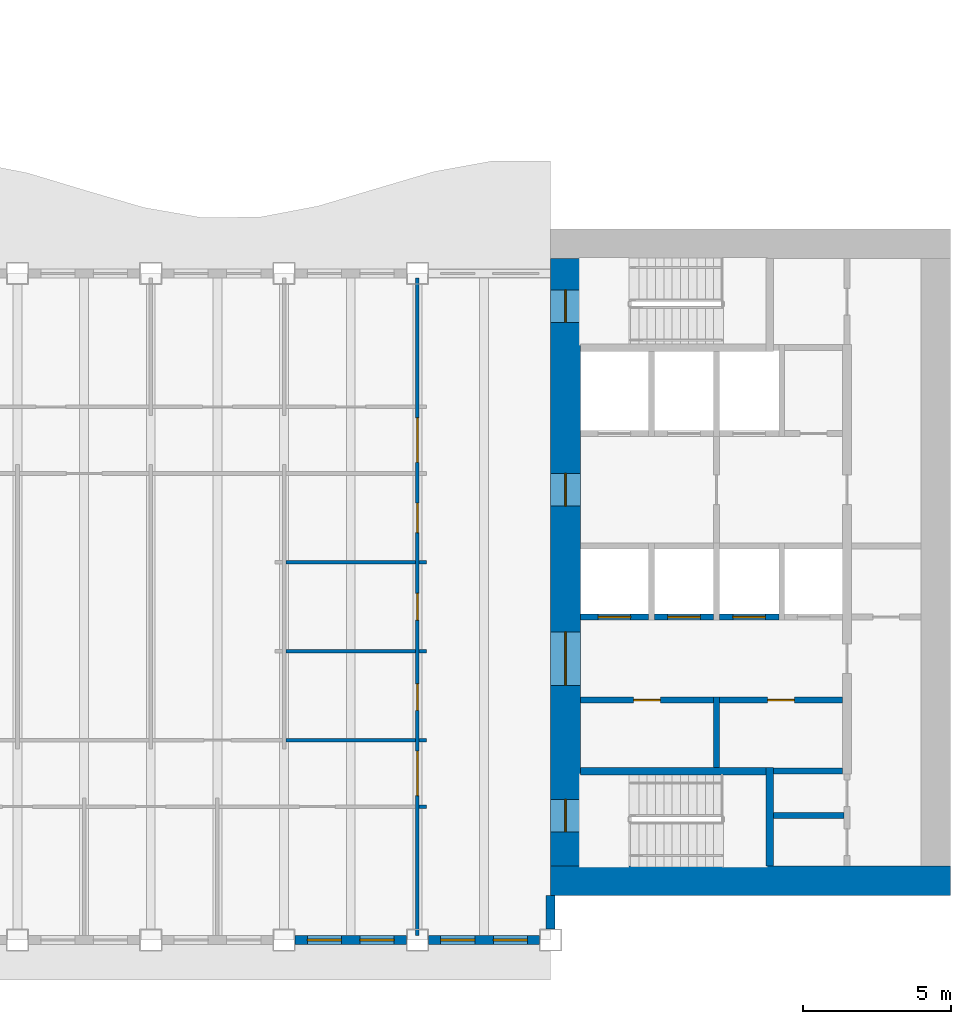
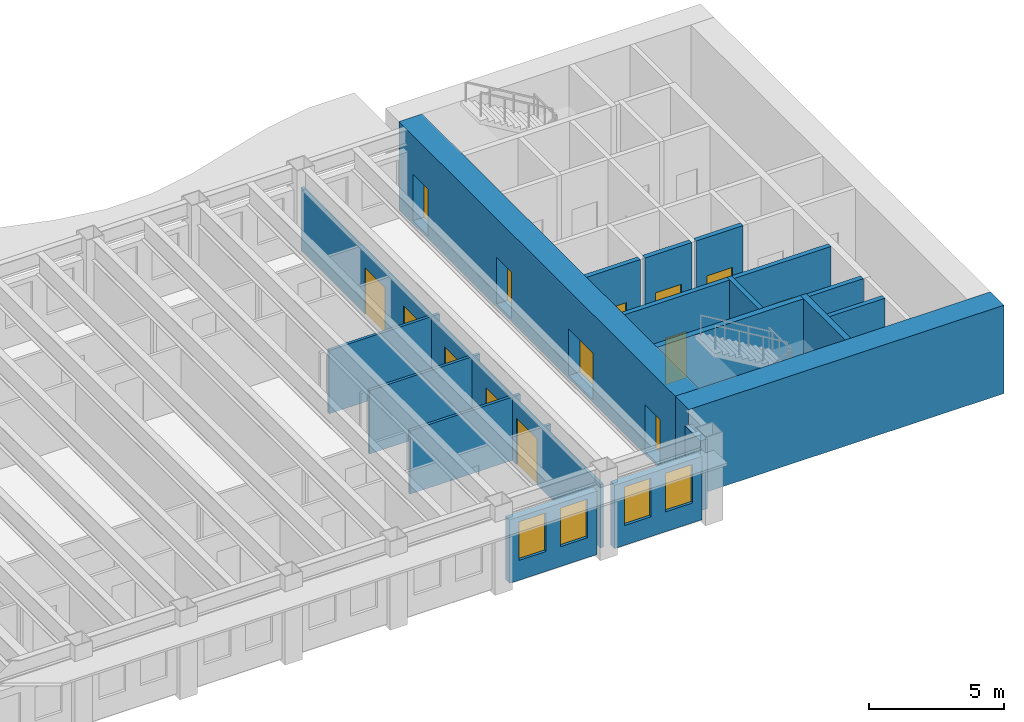
# One storey, part 6 of 17: 23 walls, 14 doors, 4 windows, 18 openings.
"""IFC4 building model written with IfcOpenShell, lengths in metres."""

from ifc_helpers import new_model, si_unit, direction, frame, frame_2d, origin, place, context, subcontext, project, spatial, rectangle, extrude, material, layer, layer_set, type_object, element, fill, save


model = new_model("IFC4")

# Units and contexts
model_context = context("Model", 3, precision=1e-05, world=origin(), true_north=direction((0.0, 1.0)))
body_context = subcontext(model_context, "Body", "Model", "MODEL_VIEW")
ifc_project = project(units=[si_unit("LENGTHUNIT", "METRE"), si_unit("AREAUNIT", "SQUARE_METRE"), si_unit("VOLUMEUNIT", "CUBIC_METRE"), si_unit("PLANEANGLEUNIT", "RADIAN"), si_unit("MASSUNIT", "GRAM", prefix="KILO")], contexts=[model_context])

# Site, building, storey
site_placement = place(None, origin())
site = spatial("IfcSite", under=ifc_project, at=site_placement, CompositionType="ELEMENT")
building_placement = place(site_placement, origin())
building = spatial("IfcBuilding", under=site, at=building_placement, Name="Sennacour Bend Tower", CompositionType="ELEMENT")
storey_placement = place(building_placement, frame((0.0, 0.0, 203.0)))
storey = spatial("IfcBuildingStorey", under=building, at=storey_placement, Name="L46", CompositionType="ELEMENT", Elevation=203.0)

# Wall
ifc_material_1 = material(Name="Concrete C60/75", Category="concrete")
ifc_layer_1 = layer(ifc_material_1, 1.0, Name="Concrete C60/75", Category="concrete")
ifc_layer_set_1 = layer_set([ifc_layer_1], Name="Concrete C60/75")
wall_type_1 = type_object("IfcWallType", Name="Core wall 1000 C60/75", PredefinedType="SHEAR", material=ifc_layer_set_1)
wall_1_placement = place(storey_placement, frame((67.5, 0.5, -0.14990234375), z_axis=(0.0, 0.0, 1.0), x_axis=(-1.0, 0.0, 0.0)))
element("IfcWall", 1, at=wall_1_placement, inside=storey, type_object=wall_type_1, Name="Core A wall L46 S", PredefinedType="SHEAR", context=body_context, shape_type="SweptSolid", body=[
    extrude(rectangle(XDim=13.5, YDim=1.0, at=frame_2d((6.75, 0.0))), origin(), (0.0, 0.0, 1.0), 4.0),
])

# Wall, openings, doors
wall_2_placement = place(storey_placement, frame((54.5, 1.0, -0.14990234375), z_axis=(0.0, 0.0, 1.0), x_axis=(0.0, 1.0, 0.0)))
wall_2 = element("IfcWall", 2, at=wall_2_placement, inside=storey, type_object=wall_type_1, Name="Core A wall L46 W", PredefinedType="SHEAR", context=body_context, shape_type="SweptSolid", body=[
    extrude(rectangle(XDim=20.5, YDim=1.0, at=frame_2d((10.25, 0.0))), origin(), (0.0, 0.0, 1.0), 4.0),
])
opening_1_placement = place(wall_2_placement, frame((6.10009765625, 0.0, 0.14990234375)))
opening_1 = element("IfcOpeningElement", 3, at=opening_1_placement, cuts=wall_2, Name="Opening CD", PredefinedType="OPENING", context=body_context, shape_type="SweptSolid", body=[
    extrude(rectangle(XDim=1.800048828125, YDim=2.10009765625, at=frame_2d((0.89990234375, 1.050048828125))), frame((0.0, 0.510009765625, 0.0), z_axis=(0.0, -1.0, 0.0), x_axis=(1.0, 0.0, 0.0)), (0.0, 0.0, 1.0), 1.02001953125),
])
opening_2_placement = place(wall_2_placement, frame((12.14990234375, 0.0, 0.14990234375)))
opening_2 = element("IfcOpeningElement", 4, at=opening_2_placement, cuts=wall_2, Name="Opening FD", PredefinedType="OPENING", context=body_context, shape_type="SweptSolid", body=[
    extrude(rectangle(XDim=1.10009765625, YDim=2.10009765625, at=frame_2d((0.550048828125, 1.050048828125))), frame((0.0, 0.510009765625, 0.0), z_axis=(0.0, -1.0, 0.0), x_axis=(1.0, 0.0, 0.0)), (0.0, 0.0, 1.0), 1.02001953125),
])
opening_3_placement = place(wall_2_placement, frame((1.14990234375, 0.0, 0.14990234375)))
opening_3 = element("IfcOpeningElement", 5, at=opening_3_placement, cuts=wall_2, Name="Opening SD", PredefinedType="OPENING", context=body_context, shape_type="SweptSolid", body=[
    extrude(rectangle(XDim=1.10009765625, YDim=2.10009765625, at=frame_2d((0.550048828125, 1.050048828125))), frame((0.0, 0.510009765625, 0.0), z_axis=(0.0, -1.0, 0.0), x_axis=(1.0, 0.0, 0.0)), (0.0, 0.0, 1.0), 1.02001953125),
])
opening_4_placement = place(wall_2_placement, frame((18.35009765625, 0.0, 0.14990234375)))
opening_4 = element("IfcOpeningElement", 6, at=opening_4_placement, cuts=wall_2, Name="Opening SD", PredefinedType="OPENING", context=body_context, shape_type="SweptSolid", body=[
    extrude(rectangle(XDim=1.10009765625, YDim=2.10009765625, at=frame_2d((0.550048828125, 1.050048828125))), frame((0.0, 0.510009765625, 0.0), z_axis=(0.0, -1.0, 0.0), x_axis=(1.0, 0.0, 0.0)), (0.0, 0.0, 1.0), 1.02001953125),
])
ifc_material_2 = material(Name="Painted steel", Category="steel")
door_type_1 = type_object("IfcDoorType", Name="DR-FFL-1100", OperationType="NOTDEFINED", PredefinedType="DOOR", material=ifc_material_2)
door_1_placement = place(opening_2_placement, origin())
door_1 = element("IfcDoor", 7, at=door_1_placement, inside=storey, type_object=door_type_1, Name="Door", OperationType="SINGLE_SWING_RIGHT", OverallHeight=2.10009765625, OverallWidth=1.10009765625, PredefinedType="DOOR", context=body_context, shape_type="SweptSolid", body=[
    extrude(rectangle(XDim=1.10009765625, YDim=2.10009765625, at=frame_2d((0.550048828125, 1.050048828125))), frame((0.0, 0.02490234375, 0.0), z_axis=(0.0, -1.0, 0.0), x_axis=(1.0, 0.0, 0.0)), (0.0, 0.0, 1.0), 0.050048828125),
])
fill(opening_2, door_1)
door_type_2 = type_object("IfcDoorType", Name="DR-LOBBY-1800", OperationType="NOTDEFINED", PredefinedType="DOOR", material=ifc_material_2)
door_2_placement = place(opening_1_placement, origin())
door_2 = element("IfcDoor", 8, at=door_2_placement, inside=storey, type_object=door_type_2, Name="Door", OperationType="DOUBLE_DOOR_SINGLE_SWING", OverallHeight=2.10009765625, OverallWidth=1.800048828125, PredefinedType="DOOR", context=body_context, shape_type="SweptSolid", body=[
    extrude(rectangle(XDim=1.800048828125, YDim=2.10009765625, at=frame_2d((0.89990234375, 1.050048828125))), frame((0.0, 0.02490234375, 0.0), z_axis=(0.0, -1.0, 0.0), x_axis=(1.0, 0.0, 0.0)), (0.0, 0.0, 1.0), 0.050048828125),
])
fill(opening_1, door_2)
door_type_3 = type_object("IfcDoorType", Name="DR-STAIR-1100", OperationType="NOTDEFINED", PredefinedType="DOOR", material=ifc_material_2)
door_3_placement = place(opening_3_placement, origin())
door_3 = element("IfcDoor", 9, at=door_3_placement, inside=storey, type_object=door_type_3, Name="Door", OperationType="SINGLE_SWING_LEFT", OverallHeight=2.10009765625, OverallWidth=1.10009765625, PredefinedType="DOOR", context=body_context, shape_type="SweptSolid", body=[
    extrude(rectangle(XDim=1.10009765625, YDim=2.10009765625, at=frame_2d((0.550048828125, 1.050048828125))), frame((0.0, 0.02490234375, 0.0), z_axis=(0.0, -1.0, 0.0), x_axis=(1.0, 0.0, 0.0)), (0.0, 0.0, 1.0), 0.050048828125),
])
fill(opening_3, door_3)
door_4_placement = place(opening_4_placement, origin())
door_4 = element("IfcDoor", 10, at=door_4_placement, inside=storey, type_object=door_type_3, Name="Door", OperationType="SINGLE_SWING_RIGHT", OverallHeight=2.10009765625, OverallWidth=1.10009765625, PredefinedType="DOOR", context=body_context, shape_type="SweptSolid", body=[
    extrude(rectangle(XDim=1.10009765625, YDim=2.10009765625, at=frame_2d((0.550048828125, 1.050048828125))), frame((0.0, 0.02490234375, 0.0), z_axis=(0.0, -1.0, 0.0), x_axis=(1.0, 0.0, 0.0)), (0.0, 0.0, 1.0), 0.050048828125),
])
fill(opening_4, door_4)

# Walls
ifc_material_3 = material(Name="Plasterboard partition on steel studs", Category="steel")
ifc_layer_2 = layer(ifc_material_3, 0.1201171875, Name="Plasterboard partition on steel studs", Category="steel")
ifc_layer_set_2 = layer_set([ifc_layer_2], Name="Plasterboard partition on steel studs")
wall_type_2 = type_object("IfcWallType", Name="Partition 120", PredefinedType="PARTITIONING", material=ifc_layer_set_2)
wall_3_placement = place(storey_placement, frame((49.56005859375, 3.0, 0.0), z_axis=(0.0, 0.0, 1.0), x_axis=(1.0, 0.0, 0.0)))
element("IfcWall", 11, at=wall_3_placement, inside=storey, type_object=wall_type_2, Name="P-L46-W058ah", PredefinedType="PARTITIONING", context=body_context, shape_type="SweptSolid", body=[
    extrude(rectangle(XDim=0.239990234375, YDim=0.1201171875, at=frame_2d((0.1201171875, 0.0))), origin(), (0.0, 0.0, 1.0), 2.8701171875),
])
wall_4_placement = place(storey_placement, frame((45.06005859375, 5.25, 0.0), z_axis=(0.0, 0.0, 1.0), x_axis=(1.0, 0.0, 0.0)))
element("IfcWall", 12, at=wall_4_placement, inside=storey, type_object=wall_type_2, Name="P-L46-W063ae", PredefinedType="PARTITIONING", context=body_context, shape_type="SweptSolid", body=[
    extrude(rectangle(XDim=4.3798828125, YDim=0.1201171875, at=frame_2d((2.18994140625, 0.0))), origin(), (0.0, 0.0, 1.0), 2.8701171875),
])
wall_5_placement = place(storey_placement, frame((49.56005859375, 5.25, 0.0), z_axis=(0.0, 0.0, 1.0), x_axis=(1.0, 0.0, 0.0)))
element("IfcWall", 13, at=wall_5_placement, inside=storey, type_object=wall_type_2, Name="P-L46-W063af", PredefinedType="PARTITIONING", context=body_context, shape_type="SweptSolid", body=[
    extrude(rectangle(XDim=0.239990234375, YDim=0.1201171875, at=frame_2d((0.1201171875, 0.0))), origin(), (0.0, 0.0, 1.0), 2.8701171875),
])
wall_6_placement = place(storey_placement, frame((45.06005859375, 8.25, 0.0), z_axis=(0.0, 0.0, 1.0), x_axis=(1.0, 0.0, 0.0)))
element("IfcWall", 14, at=wall_6_placement, inside=storey, type_object=wall_type_2, Name="P-L46-W065ab", PredefinedType="PARTITIONING", context=body_context, shape_type="SweptSolid", body=[
    extrude(rectangle(XDim=4.3798828125, YDim=0.1201171875, at=frame_2d((2.18994140625, 0.0))), origin(), (0.0, 0.0, 1.0), 2.8701171875),
])
wall_7_placement = place(storey_placement, frame((49.56005859375, 8.25, 0.0), z_axis=(0.0, 0.0, 1.0), x_axis=(1.0, 0.0, 0.0)))
element("IfcWall", 15, at=wall_7_placement, inside=storey, type_object=wall_type_2, Name="P-L46-W065ac", PredefinedType="PARTITIONING", context=body_context, shape_type="SweptSolid", body=[
    extrude(rectangle(XDim=0.239990234375, YDim=0.1201171875, at=frame_2d((0.1201171875, 0.0))), origin(), (0.0, 0.0, 1.0), 2.8701171875),
])
wall_8_placement = place(storey_placement, frame((45.06005859375, 11.25, 0.0), z_axis=(0.0, 0.0, 1.0), x_axis=(1.0, 0.0, 0.0)))
element("IfcWall", 16, at=wall_8_placement, inside=storey, type_object=wall_type_2, Name="P-L46-W070ab", PredefinedType="PARTITIONING", context=body_context, shape_type="SweptSolid", body=[
    extrude(rectangle(XDim=4.3798828125, YDim=0.1201171875, at=frame_2d((2.18994140625, 0.0))), origin(), (0.0, 0.0, 1.0), 2.8701171875),
])
wall_9_placement = place(storey_placement, frame((49.56005859375, 11.25, 0.0), z_axis=(0.0, 0.0, 1.0), x_axis=(1.0, 0.0, 0.0)))
element("IfcWall", 17, at=wall_9_placement, inside=storey, type_object=wall_type_2, Name="P-L46-W070ac", PredefinedType="PARTITIONING", context=body_context, shape_type="SweptSolid", body=[
    extrude(rectangle(XDim=0.239990234375, YDim=0.1201171875, at=frame_2d((0.1201171875, 0.0))), origin(), (0.0, 0.0, 1.0), 2.8701171875),
])

# Wall, openings, doors
ifc_layer_3 = layer(ifc_material_3, 0.1201171875, Name="Plasterboard partition on steel studs", Category="steel")
ifc_layer_set_3 = layer_set([ifc_layer_3], Name="Plasterboard partition on steel studs")
wall_type_3 = type_object("IfcWallType", Name="Partition 120 EI 30", PredefinedType="PARTITIONING", material=ifc_layer_set_3)
wall_10_placement = place(storey_placement, frame((49.5, -1.35009765625, 0.0), z_axis=(0.0, 0.0, 1.0), x_axis=(0.0, 1.0, 0.0)))
wall_10 = element("IfcWall", 18, at=wall_10_placement, inside=storey, type_object=wall_type_3, Name="P-L46-W040a", PredefinedType="PARTITIONING", context=body_context, shape_type="SweptSolid", body=[
    extrude(rectangle(XDim=22.2001953125, YDim=0.1201171875, at=frame_2d((11.10009765625, 0.0))), origin(), (0.0, 0.0, 1.0), 2.8701171875),
])
opening_5_placement = place(wall_10_placement, frame((4.72509765625, 0.0, 0.0)))
opening_5 = element("IfcOpeningElement", 19, at=opening_5_placement, cuts=wall_10, Name="Opening KD", PredefinedType="OPENING", context=body_context, shape_type="SweptSolid", body=[
    extrude(rectangle(XDim=1.5, YDim=2.10009765625, at=frame_2d((0.75, 1.050048828125))), frame((0.0, 0.070068359375, 0.0), z_axis=(0.0, -1.0, 0.0), x_axis=(1.0, 0.0, 0.0)), (0.0, 0.0, 1.0), 0.14013671875),
])
opening_6_placement = place(wall_10_placement, frame((15.97509765625, 0.0, 0.0)))
opening_6 = element("IfcOpeningElement", 20, at=opening_6_placement, cuts=wall_10, Name="Opening KD", PredefinedType="OPENING", context=body_context, shape_type="SweptSolid", body=[
    extrude(rectangle(XDim=1.5, YDim=2.10009765625, at=frame_2d((0.75, 1.050048828125))), frame((0.0, 0.070068359375, 0.0), z_axis=(0.0, -1.0, 0.0), x_axis=(1.0, 0.0, 0.0)), (0.0, 0.0, 1.0), 0.14013671875),
])
opening_7_placement = place(wall_10_placement, frame((7.60009765625, 0.0, 0.0)))
opening_7 = element("IfcOpeningElement", 21, at=opening_7_placement, cuts=wall_10, Name="Opening WD", PredefinedType="OPENING", context=body_context, shape_type="SweptSolid", body=[
    extrude(rectangle(XDim=0.89990234375, YDim=2.10009765625, at=frame_2d((0.449951171875, 1.050048828125))), frame((0.0, 0.070068359375, 0.0), z_axis=(0.0, -1.0, 0.0), x_axis=(1.0, 0.0, 0.0)), (0.0, 0.0, 1.0), 0.14013671875),
])
opening_8_placement = place(wall_10_placement, frame((10.650146484375, 0.0, 0.0)))
opening_8 = element("IfcOpeningElement", 22, at=opening_8_placement, cuts=wall_10, Name="Opening WD", PredefinedType="OPENING", context=body_context, shape_type="SweptSolid", body=[
    extrude(rectangle(XDim=0.89990234375, YDim=2.10009765625, at=frame_2d((0.449951171875, 1.050048828125))), frame((0.0, 0.070068359375, 0.0), z_axis=(0.0, -1.0, 0.0), x_axis=(1.0, 0.0, 0.0)), (0.0, 0.0, 1.0), 0.14013671875),
])
opening_9_placement = place(wall_10_placement, frame((13.60009765625, 0.0, 0.0)))
opening_9 = element("IfcOpeningElement", 23, at=opening_9_placement, cuts=wall_10, Name="Opening AD", PredefinedType="OPENING", context=body_context, shape_type="SweptSolid", body=[
    extrude(rectangle(XDim=1.0, YDim=2.10009765625, at=frame_2d((0.5, 1.050048828125))), frame((0.0, 0.070068359375, 0.0), z_axis=(0.0, -1.0, 0.0), x_axis=(1.0, 0.0, 0.0)), (0.0, 0.0, 1.0), 0.14013671875),
])
ifc_material_4 = material(Name="Timber", Category="wood")
door_type_4 = type_object("IfcDoorType", Name="DR-ACC-WC-1000", OperationType="NOTDEFINED", PredefinedType="DOOR", material=ifc_material_4)
door_5_placement = place(opening_9_placement, origin())
door_5 = element("IfcDoor", 24, at=door_5_placement, inside=storey, type_object=door_type_4, Name="Door", OperationType="SINGLE_SWING_RIGHT", OverallHeight=2.10009765625, OverallWidth=1.0, PredefinedType="DOOR", context=body_context, shape_type="SweptSolid", body=[
    extrude(rectangle(XDim=1.0, YDim=2.10009765625, at=frame_2d((0.5, 1.050048828125))), frame((0.0, 0.02490234375, 0.0), z_axis=(0.0, -1.0, 0.0), x_axis=(1.0, 0.0, 0.0)), (0.0, 0.0, 1.0), 0.050048828125),
])
fill(opening_9, door_5)
door_type_5 = type_object("IfcDoorType", Name="DR-CORRIDOR-1500", OperationType="NOTDEFINED", PredefinedType="DOOR", material=ifc_material_2)
door_6_placement = place(opening_5_placement, origin())
door_6 = element("IfcDoor", 25, at=door_6_placement, inside=storey, type_object=door_type_5, Name="Door", OperationType="SINGLE_SWING_LEFT", OverallHeight=2.10009765625, OverallWidth=1.5, PredefinedType="DOOR", context=body_context, shape_type="SweptSolid", body=[
    extrude(rectangle(XDim=1.5, YDim=2.10009765625, at=frame_2d((0.75, 1.050048828125))), frame((0.0, 0.02490234375, 0.0), z_axis=(0.0, -1.0, 0.0), x_axis=(1.0, 0.0, 0.0)), (0.0, 0.0, 1.0), 0.050048828125),
])
fill(opening_5, door_6)
door_7_placement = place(opening_6_placement, origin())
door_7 = element("IfcDoor", 26, at=door_7_placement, inside=storey, type_object=door_type_5, Name="Door", OperationType="SINGLE_SWING_RIGHT", OverallHeight=2.10009765625, OverallWidth=1.5, PredefinedType="DOOR", context=body_context, shape_type="SweptSolid", body=[
    extrude(rectangle(XDim=1.5, YDim=2.10009765625, at=frame_2d((0.75, 1.050048828125))), frame((0.0, 0.02490234375, 0.0), z_axis=(0.0, -1.0, 0.0), x_axis=(1.0, 0.0, 0.0)), (0.0, 0.0, 1.0), 0.050048828125),
])
fill(opening_6, door_7)
door_type_6 = type_object("IfcDoorType", Name="DR-WC-900", OperationType="NOTDEFINED", PredefinedType="DOOR", material=ifc_material_4)
door_8_placement = place(opening_7_placement, origin())
door_8 = element("IfcDoor", 27, at=door_8_placement, inside=storey, type_object=door_type_6, Name="Door", OperationType="SINGLE_SWING_LEFT", OverallHeight=2.10009765625, OverallWidth=0.89990234375, PredefinedType="DOOR", context=body_context, shape_type="SweptSolid", body=[
    extrude(rectangle(XDim=0.89990234375, YDim=2.10009765625, at=frame_2d((0.449951171875, 1.050048828125))), frame((0.0, 0.02490234375, 0.0), z_axis=(0.0, -1.0, 0.0), x_axis=(1.0, 0.0, 0.0)), (0.0, 0.0, 1.0), 0.050048828125),
])
fill(opening_7, door_8)
door_9_placement = place(opening_8_placement, origin())
door_9 = element("IfcDoor", 28, at=door_9_placement, inside=storey, type_object=door_type_6, Name="Door", OperationType="SINGLE_SWING_LEFT", OverallHeight=2.10009765625, OverallWidth=0.89990234375, PredefinedType="DOOR", context=body_context, shape_type="SweptSolid", body=[
    extrude(rectangle(XDim=0.89990234375, YDim=2.10009765625, at=frame_2d((0.449951171875, 1.050048828125))), frame((0.0, 0.02490234375, 0.0), z_axis=(0.0, -1.0, 0.0), x_axis=(1.0, 0.0, 0.0)), (0.0, 0.0, 1.0), 0.050048828125),
])
fill(opening_8, door_9)

# Walls
ifc_material_5 = material(Name="Fire-rated plasterboard partition on steel studs", Category="steel")
ifc_layer_4 = layer(ifc_material_5, 0.199951171875, Name="Fire-rated plasterboard partition on steel studs", Category="steel")
ifc_layer_set_4 = layer_set([ifc_layer_4], Name="Fire-rated plasterboard partition on steel studs")
wall_type_4 = type_object("IfcWallType", Name="Rated partition 200", PredefinedType="PARTITIONING", material=ifc_layer_set_4)
for number, where, z_axis, x_axis, name in (
    (29, (59.60009765625, 4.324951171875, 0.0), (0.0, 0.0, 1.0), (0.0, 1.0, 0.0), "P-L46-W044"),
    (30, (61.52490234375, 2.699951171875, 0.0), (0.0, 0.0, 1.0), (1.0, 0.0, 0.0), "P-L46-W057"),
):
    element("IfcWall", number, at=place(storey_placement, frame(where, z_axis=z_axis, x_axis=x_axis)), inside=storey, type_object=wall_type_4, Name=name, PredefinedType="PARTITIONING", context=body_context, shape_type="SweptSolid", body=[
        extrude(rectangle(XDim=2.375, YDim=0.199951171875, at=frame_2d((1.1875, 0.0))), origin(), (0.0, 0.0, 1.0), 3.85009765625),
    ])
wall_11_placement = place(storey_placement, frame((61.52490234375, 4.199951171875, 0.0), z_axis=(0.0, 0.0, 1.0), x_axis=(1.0, 0.0, 0.0)))
element("IfcWall", 31, at=wall_11_placement, inside=storey, type_object=wall_type_4, Name="P-L46-W062", PredefinedType="PARTITIONING", context=body_context, shape_type="SweptSolid", body=[
    extrude(rectangle(XDim=2.3251953125, YDim=0.199951171875, at=frame_2d((1.16259765625, 0.0))), origin(), (0.0, 0.0, 1.0), 3.85009765625),
])

# Wall, opening, door
wall_12_placement = place(storey_placement, frame((55.0, 6.60009765625, 0.0), z_axis=(0.0, 0.0, 1.0), x_axis=(1.0, 0.0, 0.0)))
wall_12 = element("IfcWall", 32, at=wall_12_placement, inside=storey, type_object=wall_type_4, Name="P-L46-W064a", PredefinedType="PARTITIONING", context=body_context, shape_type="SweptSolid", body=[
    extrude(rectangle(XDim=4.5, YDim=0.199951171875, at=frame_2d((2.25, 0.0))), origin(), (0.0, 0.0, 1.0), 3.85009765625),
])
opening_10_placement = place(wall_12_placement, frame((1.800048828125, 0.0, 0.0)))
opening_10 = element("IfcOpeningElement", 33, at=opening_10_placement, cuts=wall_12, Name="Opening SV", PredefinedType="OPENING", context=body_context, shape_type="SweptSolid", body=[
    extrude(rectangle(XDim=0.89990234375, YDim=2.10009765625, at=frame_2d((0.449951171875, 1.050048828125))), frame((0.0, 0.10986328125, 0.0), z_axis=(0.0, -1.0, 0.0), x_axis=(1.0, 0.0, 0.0)), (0.0, 0.0, 1.0), 0.219970703125),
])
door_type_7 = type_object("IfcDoorType", Name="DR-SERVICE-900", OperationType="NOTDEFINED", PredefinedType="DOOR", material=ifc_material_2)
door_10_placement = place(opening_10_placement, origin())
door_10 = element("IfcDoor", 34, at=door_10_placement, inside=storey, type_object=door_type_7, Name="Door", OperationType="SINGLE_SWING_LEFT", OverallHeight=2.10009765625, OverallWidth=0.89990234375, PredefinedType="DOOR", context=body_context, shape_type="SweptSolid", body=[
    extrude(rectangle(XDim=0.89990234375, YDim=2.10009765625, at=frame_2d((0.449951171875, 1.050048828125))), frame((0.0, 0.02490234375, 0.0), z_axis=(0.0, -1.0, 0.0), x_axis=(1.0, 0.0, 0.0)), (0.0, 0.0, 1.0), 0.050048828125),
])
fill(opening_10, door_10)

wall_13_placement = place(storey_placement, frame((59.699951171875, 6.60009765625, 0.0), z_axis=(0.0, 0.0, 1.0), x_axis=(1.0, 0.0, 0.0)))
wall_13 = element("IfcWall", 35, at=wall_13_placement, inside=storey, type_object=wall_type_4, Name="P-L46-W064b", PredefinedType="PARTITIONING", context=body_context, shape_type="SweptSolid", body=[
    extrude(rectangle(XDim=4.150146484375, YDim=0.199951171875, at=frame_2d((2.0751953125, 0.0))), origin(), (0.0, 0.0, 1.0), 3.85009765625),
])
opening_11_placement = place(wall_13_placement, frame((1.625, 0.0, 0.0)))
opening_11 = element("IfcOpeningElement", 36, at=opening_11_placement, cuts=wall_13, Name="Opening SV", PredefinedType="OPENING", context=body_context, shape_type="SweptSolid", body=[
    extrude(rectangle(XDim=0.89990234375, YDim=2.10009765625, at=frame_2d((0.449951171875, 1.050048828125))), frame((0.0, 0.10986328125, 0.0), z_axis=(0.0, -1.0, 0.0), x_axis=(1.0, 0.0, 0.0)), (0.0, 0.0, 1.0), 0.219970703125),
])
door_11_placement = place(opening_11_placement, origin())
door_11 = element("IfcDoor", 37, at=door_11_placement, inside=storey, type_object=door_type_7, Name="Door", OperationType="SINGLE_SWING_LEFT", OverallHeight=2.10009765625, OverallWidth=0.89990234375, PredefinedType="DOOR", context=body_context, shape_type="SweptSolid", body=[
    extrude(rectangle(XDim=0.89990234375, YDim=2.10009765625, at=frame_2d((0.449951171875, 1.050048828125))), frame((0.0, 0.02490234375, 0.0), z_axis=(0.0, -1.0, 0.0), x_axis=(1.0, 0.0, 0.0)), (0.0, 0.0, 1.0), 0.050048828125),
])
fill(opening_11, door_11)

# Wall, openings, windows
ifc_material_6 = material(Name="Warm limestone cladding", Category="masonry")
ifc_layer_5 = layer(ifc_material_6, 0.050048828125, Name="Warm limestone cladding", Category="masonry")
ifc_material_7 = material(Name="Precast concrete C40/50", Category="concrete")
ifc_layer_6 = layer(ifc_material_7, 0.25, Name="Precast concrete C40/50", Category="concrete")
ifc_layer_set_5 = layer_set([ifc_layer_5, ifc_layer_6], Name="Precast concrete C40/50 with limestone cladding")
wall_type_5 = type_object("IfcWallType", Name="STONE-CLAD PRECAST SPANDREL 300", PredefinedType="STANDARD", material=ifc_layer_set_5)
wall_14_placement = place(storey_placement, frame((45.375, -1.5, 0.0), z_axis=(0.0, 0.0, 1.0), x_axis=(1.0, 0.0, 0.0)))
wall_14 = element("IfcWall", 38, at=wall_14_placement, inside=storey, type_object=wall_type_5, Name="Stone spandrel and pier wall L46 00.05", PredefinedType="STANDARD", context=body_context, shape_type="SweptSolid", body=[
    extrude(rectangle(XDim=3.75, YDim=0.300048828125, at=frame_2d((1.875, 0.0))), origin(), (0.0, 0.0, 1.0), 2.8701171875),
])
opening_12_placement = place(wall_14_placement, frame((0.41259765625, 0.0, 0.89990234375)))
opening_12 = element("IfcOpeningElement", 39, at=opening_12_placement, cuts=wall_14, Name="Opening W23", PredefinedType="OPENING", context=body_context, shape_type="SweptSolid", body=[
    extrude(rectangle(XDim=1.14990234375, YDim=1.75, at=frame_2d((0.574951171875, 0.875))), frame((0.0, 0.16015625, 0.0), z_axis=(0.0, -1.0, 0.0), x_axis=(1.0, 0.0, 0.0)), (0.0, 0.0, 1.0), 0.320068359375),
])
opening_13_placement = place(wall_14_placement, frame((2.1875, 0.0, 0.89990234375)))
opening_13 = element("IfcOpeningElement", 40, at=opening_13_placement, cuts=wall_14, Name="Opening W23", PredefinedType="OPENING", context=body_context, shape_type="SweptSolid", body=[
    extrude(rectangle(XDim=1.14990234375, YDim=1.75, at=frame_2d((0.574951171875, 0.875))), frame((0.0, 0.16015625, 0.0), z_axis=(0.0, -1.0, 0.0), x_axis=(1.0, 0.0, 0.0)), (0.0, 0.0, 1.0), 0.320068359375),
])
ifc_material_8 = material(Name="Clear low-emissivity glass", Category="glass")
window_type = type_object("IfcWindowType", Name="WIN-RIBBON-1150x1750", PartitioningType="SINGLE_PANEL", PredefinedType="WINDOW", material=ifc_material_8)
window_1_placement = place(opening_12_placement, origin())
window_1 = element("IfcWindow", 41, at=window_1_placement, inside=storey, type_object=window_type, Name="Ribbon window L46 00.05.0", OverallHeight=1.75, OverallWidth=1.14990234375, PartitioningType="SINGLE_PANEL", PredefinedType="WINDOW", context=body_context, shape_type="SweptSolid", body=[
    extrude(rectangle(XDim=1.14990234375, YDim=1.75, at=frame_2d((0.574951171875, 0.875))), frame((0.0, 0.030029296875, 0.0), z_axis=(0.0, -1.0, 0.0), x_axis=(1.0, 0.0, 0.0)), (0.0, 0.0, 1.0), 0.06005859375),
])
fill(opening_12, window_1)
window_2_placement = place(opening_13_placement, origin())
window_2 = element("IfcWindow", 42, at=window_2_placement, inside=storey, type_object=window_type, Name="Ribbon window L46 00.05.1", OverallHeight=1.75, OverallWidth=1.14990234375, PartitioningType="SINGLE_PANEL", PredefinedType="WINDOW", context=body_context, shape_type="SweptSolid", body=[
    extrude(rectangle(XDim=1.14990234375, YDim=1.75, at=frame_2d((0.574951171875, 0.875))), frame((0.0, 0.030029296875, 0.0), z_axis=(0.0, -1.0, 0.0), x_axis=(1.0, 0.0, 0.0)), (0.0, 0.0, 1.0), 0.06005859375),
])
fill(opening_13, window_2)

wall_15_placement = place(storey_placement, frame((49.875, -1.5, 0.0), z_axis=(0.0, 0.0, 1.0), x_axis=(1.0, 0.0, 0.0)))
wall_15 = element("IfcWall", 43, at=wall_15_placement, inside=storey, type_object=wall_type_5, Name="Stone spandrel and pier wall L46 00.06", PredefinedType="STANDARD", context=body_context, shape_type="SweptSolid", body=[
    extrude(rectangle(XDim=3.75, YDim=0.300048828125, at=frame_2d((1.875, 0.0))), origin(), (0.0, 0.0, 1.0), 2.8701171875),
])
opening_14_placement = place(wall_15_placement, frame((0.41259765625, 0.0, 0.89990234375)))
opening_14 = element("IfcOpeningElement", 44, at=opening_14_placement, cuts=wall_15, Name="Opening W23", PredefinedType="OPENING", context=body_context, shape_type="SweptSolid", body=[
    extrude(rectangle(XDim=1.14990234375, YDim=1.75, at=frame_2d((0.574951171875, 0.875))), frame((0.0, 0.16015625, 0.0), z_axis=(0.0, -1.0, 0.0), x_axis=(1.0, 0.0, 0.0)), (0.0, 0.0, 1.0), 0.320068359375),
])
opening_15_placement = place(wall_15_placement, frame((2.1875, 0.0, 0.89990234375)))
opening_15 = element("IfcOpeningElement", 45, at=opening_15_placement, cuts=wall_15, Name="Opening W23", PredefinedType="OPENING", context=body_context, shape_type="SweptSolid", body=[
    extrude(rectangle(XDim=1.14990234375, YDim=1.75, at=frame_2d((0.574951171875, 0.875))), frame((0.0, 0.16015625, 0.0), z_axis=(0.0, -1.0, 0.0), x_axis=(1.0, 0.0, 0.0)), (0.0, 0.0, 1.0), 0.320068359375),
])
window_3_placement = place(opening_14_placement, origin())
window_3 = element("IfcWindow", 46, at=window_3_placement, inside=storey, type_object=window_type, Name="Ribbon window L46 00.06.0", OverallHeight=1.75, OverallWidth=1.14990234375, PartitioningType="SINGLE_PANEL", PredefinedType="WINDOW", context=body_context, shape_type="SweptSolid", body=[
    extrude(rectangle(XDim=1.14990234375, YDim=1.75, at=frame_2d((0.574951171875, 0.875))), frame((0.0, 0.030029296875, 0.0), z_axis=(0.0, -1.0, 0.0), x_axis=(1.0, 0.0, 0.0)), (0.0, 0.0, 1.0), 0.06005859375),
])
fill(opening_14, window_3)
window_4_placement = place(opening_15_placement, origin())
window_4 = element("IfcWindow", 47, at=window_4_placement, inside=storey, type_object=window_type, Name="Ribbon window L46 00.06.1", OverallHeight=1.75, OverallWidth=1.14990234375, PartitioningType="SINGLE_PANEL", PredefinedType="WINDOW", context=body_context, shape_type="SweptSolid", body=[
    extrude(rectangle(XDim=1.14990234375, YDim=1.75, at=frame_2d((0.574951171875, 0.875))), frame((0.0, 0.030029296875, 0.0), z_axis=(0.0, -1.0, 0.0), x_axis=(1.0, 0.0, 0.0)), (0.0, 0.0, 1.0), 0.06005859375),
])
fill(opening_15, window_4)

# Wall
wall_16_placement = place(storey_placement, frame((54.0, -1.125, 0.0), z_axis=(0.0, 0.0, 1.0), x_axis=(0.0, 1.0, 0.0)))
element("IfcWall", 48, at=wall_16_placement, inside=storey, type_object=wall_type_5, Name="Stone spandrel and pier wall L46 01.00", PredefinedType="STANDARD", context=body_context, shape_type="SweptSolid", body=[
    extrude(rectangle(XDim=1.125, YDim=0.300048828125, at=frame_2d((0.5625, 0.0))), origin(), (0.0, 0.0, 1.0), 3.156982421875),
])

# Wall, opening, door
ifc_material_9 = material(Name="Concrete C50/60", Category="concrete")
ifc_layer_7 = layer(ifc_material_9, 0.199951171875, Name="Concrete C50/60", Category="concrete")
ifc_layer_set_6 = layer_set([ifc_layer_7], Name="Concrete C50/60")
wall_type_6 = type_object("IfcWallType", Name="Shaft wall 200", PredefinedType="SOLIDWALL", material=ifc_layer_set_6)
wall_17_placement = place(storey_placement, frame((55.0, 9.39990234375, 0.0), z_axis=(0.0, 0.0, 1.0), x_axis=(1.0, 0.0, 0.0)))
wall_17 = element("IfcWall", 49, at=wall_17_placement, inside=storey, type_object=wall_type_6, Name="P-L46-W067a", PredefinedType="SOLIDWALL", context=body_context, shape_type="SweptSolid", body=[
    extrude(rectangle(XDim=2.300048828125, YDim=0.199951171875, at=frame_2d((1.14990234375, 0.0))), origin(), (0.0, 0.0, 1.0), 3.85009765625),
])
opening_16_placement = place(wall_17_placement, frame((0.60009765625, 0.0, 0.011962890625)))
opening_16 = element("IfcOpeningElement", 50, at=opening_16_placement, cuts=wall_17, Name="Opening LD", PredefinedType="OPENING", context=body_context, shape_type="SweptSolid", body=[
    extrude(rectangle(XDim=1.10009765625, YDim=2.10009765625, at=frame_2d((0.550048828125, 1.050048828125))), frame((0.0, 0.10986328125, 0.0), z_axis=(0.0, -1.0, 0.0), x_axis=(1.0, 0.0, 0.0)), (0.0, 0.0, 1.0), 0.219970703125),
])
ifc_material_10 = material(Name="Stainless steel", Category="steel")
door_type_8 = type_object("IfcDoorType", Name="DR-LANDING-1100", OperationType="NOTDEFINED", PredefinedType="DOOR", material=ifc_material_10)
door_12_placement = place(opening_16_placement, origin())
door_12 = element("IfcDoor", 51, at=door_12_placement, inside=storey, type_object=door_type_8, Name="Lift landing door HA1", OperationType="SLIDING_TO_LEFT", OverallHeight=2.10009765625, OverallWidth=1.10009765625, PredefinedType="DOOR", context=body_context, shape_type="SweptSolid", body=[
    extrude(rectangle(XDim=1.10009765625, YDim=2.10009765625, at=frame_2d((0.550048828125, 1.050048828125))), frame((0.0, 0.02490234375, 0.0), z_axis=(0.0, -1.0, 0.0), x_axis=(1.0, 0.0, 0.0)), (0.0, 0.0, 1.0), 0.050048828125),
])
fill(opening_16, door_12)

wall_18_placement = place(storey_placement, frame((57.5, 9.39990234375, 0.0), z_axis=(0.0, 0.0, 1.0), x_axis=(1.0, 0.0, 0.0)))
wall_18 = element("IfcWall", 52, at=wall_18_placement, inside=storey, type_object=wall_type_6, Name="P-L46-W067b", PredefinedType="SOLIDWALL", context=body_context, shape_type="SweptSolid", body=[
    extrude(rectangle(XDim=2.0, YDim=0.199951171875, at=frame_2d((1.0, 0.0))), origin(), (0.0, 0.0, 1.0), 3.85009765625),
])
opening_17_placement = place(wall_18_placement, frame((0.449951171875, 0.0, 0.011962890625)))
opening_17 = element("IfcOpeningElement", 53, at=opening_17_placement, cuts=wall_18, Name="Opening LD", PredefinedType="OPENING", context=body_context, shape_type="SweptSolid", body=[
    extrude(rectangle(XDim=1.10009765625, YDim=2.10009765625, at=frame_2d((0.550048828125, 1.050048828125))), frame((0.0, 0.10986328125, 0.0), z_axis=(0.0, -1.0, 0.0), x_axis=(1.0, 0.0, 0.0)), (0.0, 0.0, 1.0), 0.219970703125),
])
door_13_placement = place(opening_17_placement, origin())
door_13 = element("IfcDoor", 54, at=door_13_placement, inside=storey, type_object=door_type_8, Name="Lift landing door HA2", OperationType="SLIDING_TO_RIGHT", OverallHeight=2.10009765625, OverallWidth=1.10009765625, PredefinedType="DOOR", context=body_context, shape_type="SweptSolid", body=[
    extrude(rectangle(XDim=1.10009765625, YDim=2.10009765625, at=frame_2d((0.550048828125, 1.050048828125))), frame((0.0, 0.02490234375, 0.0), z_axis=(0.0, -1.0, 0.0), x_axis=(1.0, 0.0, 0.0)), (0.0, 0.0, 1.0), 0.050048828125),
])
fill(opening_17, door_13)

wall_19_placement = place(storey_placement, frame((59.699951171875, 9.39990234375, 0.0), z_axis=(0.0, 0.0, 1.0), x_axis=(1.0, 0.0, 0.0)))
wall_19 = element("IfcWall", 55, at=wall_19_placement, inside=storey, type_object=wall_type_6, Name="P-L46-W067c", PredefinedType="SOLIDWALL", context=body_context, shape_type="SweptSolid", body=[
    extrude(rectangle(XDim=2.0, YDim=0.199951171875, at=frame_2d((1.0, 0.0))), origin(), (0.0, 0.0, 1.0), 3.85009765625),
])
opening_18_placement = place(wall_19_placement, frame((0.449951171875, 0.0, 0.011962890625)))
opening_18 = element("IfcOpeningElement", 56, at=opening_18_placement, cuts=wall_19, Name="Opening LD", PredefinedType="OPENING", context=body_context, shape_type="SweptSolid", body=[
    extrude(rectangle(XDim=1.10009765625, YDim=2.10009765625, at=frame_2d((0.550048828125, 1.050048828125))), frame((0.0, 0.10986328125, 0.0), z_axis=(0.0, -1.0, 0.0), x_axis=(1.0, 0.0, 0.0)), (0.0, 0.0, 1.0), 0.219970703125),
])
door_14_placement = place(opening_18_placement, origin())
door_14 = element("IfcDoor", 57, at=door_14_placement, inside=storey, type_object=door_type_8, Name="Lift landing door HA3", OperationType="SLIDING_TO_LEFT", OverallHeight=2.10009765625, OverallWidth=1.10009765625, PredefinedType="DOOR", context=body_context, shape_type="SweptSolid", body=[
    extrude(rectangle(XDim=1.10009765625, YDim=2.10009765625, at=frame_2d((0.550048828125, 1.050048828125))), frame((0.0, 0.02490234375, 0.0), z_axis=(0.0, -1.0, 0.0), x_axis=(1.0, 0.0, 0.0)), (0.0, 0.0, 1.0), 0.050048828125),
])
fill(opening_18, door_14)

# Walls
ifc_layer_8 = layer(ifc_material_1, 0.25, Name="Concrete C60/75", Category="concrete")
ifc_layer_set_7 = layer_set([ifc_layer_8], Name="Concrete C60/75")
wall_type_7 = type_object("IfcWallType", Name="Stair wall 250", PredefinedType="SHEAR", material=ifc_layer_set_7)
wall_20_placement = place(storey_placement, frame((61.39990234375, 1.0, 0.0), z_axis=(0.0, 0.0, 1.0), x_axis=(0.0, 1.0, 0.0)))
element("IfcWall", 58, at=wall_20_placement, inside=storey, type_object=wall_type_7, Name="P-L46-W048", PredefinedType="SHEAR", context=body_context, shape_type="SweptSolid", body=[
    extrude(rectangle(XDim=3.324951171875, YDim=0.25, at=frame_2d((1.66259765625, 0.0))), origin(), (0.0, 0.0, 1.0), 3.85009765625),
])
wall_21_placement = place(storey_placement, frame((55.0, 4.199951171875, 0.0), z_axis=(0.0, 0.0, 1.0), x_axis=(1.0, 0.0, 0.0)))
element("IfcWall", 59, at=wall_21_placement, inside=storey, type_object=wall_type_7, Name="P-L46-W061", PredefinedType="SHEAR", context=body_context, shape_type="SweptSolid", body=[
    extrude(rectangle(XDim=6.27490234375, YDim=0.25, at=frame_2d((3.137451171875, 0.0))), origin(), (0.0, 0.0, 1.0), 3.85009765625),
])

save(model, "model.ifc")
